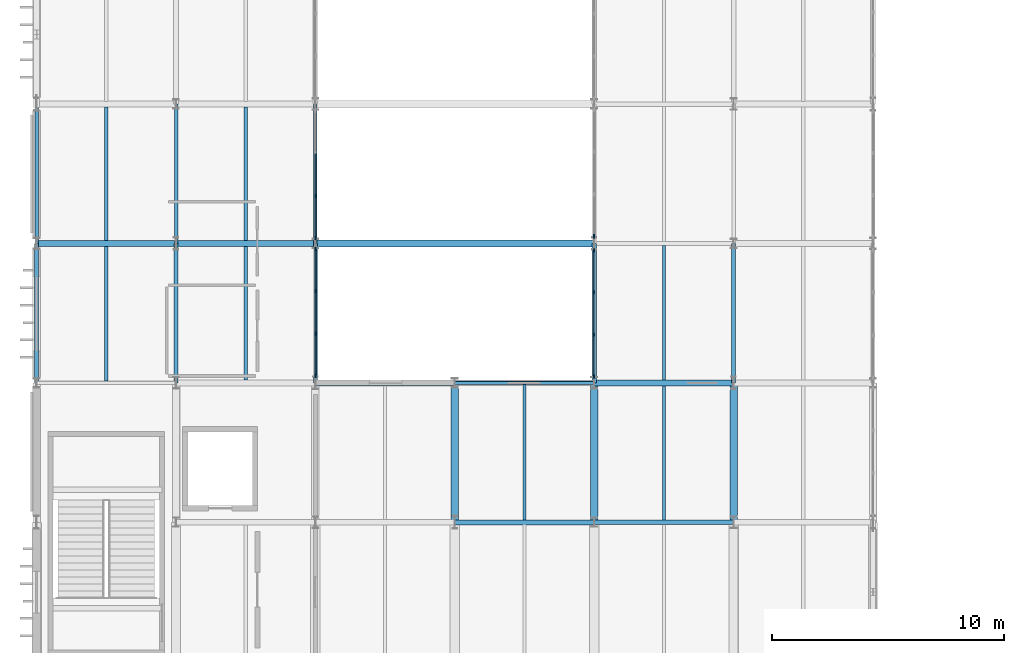
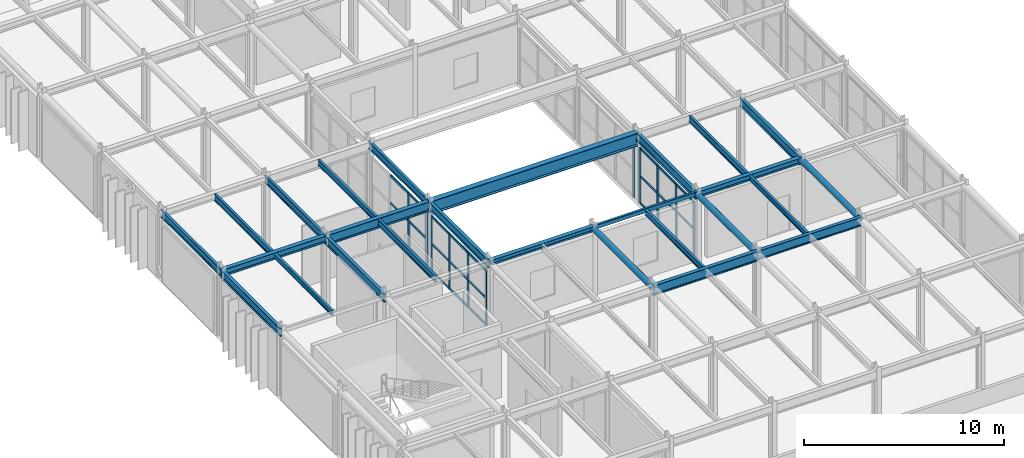
# One storey, part 25 of 84: 35 members, 26 beams, 4 elements without a shape of their own.
"""IFC4 building model written with IfcOpenShell, lengths in metres."""

from ifc_helpers import new_model, si_unit, direction, frame, origin, origin_2d, place, context, subcontext, project, spatial, rectangle, hollow_rectangle, hollow_circle, i_section, extrude, material, material_profile, profile_set, type_object, element, aggregate, save


model = new_model("IFC4")

# Units and contexts
model_context = context("Model", 3, precision=1e-05, world=origin(), true_north=direction((0.0, 1.0)))
body_context = subcontext(model_context, "Body", "Model", "MODEL_VIEW")
ifc_project = project(units=[si_unit("LENGTHUNIT", "METRE"), si_unit("AREAUNIT", "SQUARE_METRE"), si_unit("VOLUMEUNIT", "CUBIC_METRE"), si_unit("PLANEANGLEUNIT", "RADIAN"), si_unit("MASSUNIT", "GRAM", prefix="KILO")], contexts=[model_context])

# Site, building, storey
site_placement = place(None, origin())
site = spatial("IfcSite", under=ifc_project, at=site_placement, CompositionType="ELEMENT")
building_placement = place(site_placement, origin())
building = spatial("IfcBuilding", under=site, at=building_placement, Name="Varnakota Square Police Headquarters", CompositionType="ELEMENT")
storey_placement = place(building_placement, frame((0.0, 0.0, 13.5)))
storey = spatial("IfcBuildingStorey", under=building, at=storey_placement, Name="L03", CompositionType="ELEMENT", Elevation=13.5)

# Beams
ifc_material_1 = material(Name="Steel IS 2062 Grade 350", Category="steel")
ifc_material_profile_1 = material_profile(ifc_material_1, hollow_circle(Radius=0.161865234375, WallThickness=0.0126953125, at=origin_2d()), Name="CHS 323.9x12.7")
ifc_profile_set_1 = profile_set([ifc_material_profile_1], Name="Steel IS 2062 Grade 350")
beam_type_1 = type_object("IfcBeamType", Name="BM-ARC-CHS324", PredefinedType="BEAM", material=ifc_profile_set_1)
for number, where, z_axis, x_axis, name in (
    (1, (24.0, 33.0, 4.0380859375), (0.0, 1.0, 0.0), (-1.0, 0.0, 0.0), "BMG-L03-2631"),
    (2, (30.0, 33.0, 4.0380859375), (0.0, 1.0, 0.0), (-1.0, 0.0, 0.0), "BMG-L03-2636"),
    (3, (36.0, 33.0, 4.0380859375), (0.0, 1.0, 0.0), (-1.0, 0.0, 0.0), "BMG-L03-2646"),
):
    element("IfcBeam", number, at=place(storey_placement, frame(where, z_axis=z_axis, x_axis=x_axis)), inside=storey, type_object=beam_type_1, Name=name, PredefinedType="BEAM", context=body_context, shape_type="SweptSolid", body=[
        extrude(hollow_circle(Radius=0.161865234375, WallThickness=0.0126953125, at=origin_2d()), origin(), (0.0, 0.0, 1.0), 6.0),
    ])
ifc_material_profile_2 = material_profile(ifc_material_1, i_section(OverallWidth=0.320068359375, OverallDepth=0.800048828125, WebThickness=0.01611328125, FlangeThickness=0.028076171875, at=origin_2d()), Name="BPG 800x320")
ifc_profile_set_2 = profile_set([ifc_material_profile_2], Name="Steel IS 2062 Grade 350")
beam_type_2 = type_object("IfcBeamType", Name="BM-BPG800", PredefinedType="BEAM", material=ifc_profile_set_2)
beam_1_placement = place(storey_placement, frame((18.0, 45.0, 3.800048828125), z_axis=(1.0, 0.0, 0.0), x_axis=(0.0, 1.0, 0.0)))
element("IfcBeam", 4, at=beam_1_placement, inside=storey, type_object=beam_type_2, Name="BMG-L03-2485", PredefinedType="BEAM", context=body_context, shape_type="SweptSolid", body=[
    extrude(i_section(OverallWidth=0.320068359375, OverallDepth=0.800048828125, WebThickness=0.01611328125, FlangeThickness=0.028076171875, at=origin_2d()), origin(), (0.0, 0.0, 1.0), 12.0),
])
ifc_material_profile_3 = material_profile(ifc_material_1, hollow_rectangle(XDim=0.14990234375, YDim=0.25, WallThickness=0.010009765625, InnerFilletRadius=0.010009765625, OuterFilletRadius=0.02001953125, at=origin_2d()), Name="RHS 250x150x10")
ifc_profile_set_3 = profile_set([ifc_material_profile_3], Name="Steel IS 2062 Grade 350")
beam_type_3 = type_object("IfcBeamType", Name="BM-CBEAM-RHS250", PredefinedType="BEAM", material=ifc_profile_set_3)
beam_2_placement = place(storey_placement, frame((24.0, 39.0, 4.074951171875), z_axis=(1.0, 0.0, 0.0), x_axis=(0.0, 1.0, 0.0)))
element("IfcBeam", 5, at=beam_2_placement, inside=storey, type_object=beam_type_3, Name="BMG-L03-2476", PredefinedType="BEAM", context=body_context, shape_type="SweptSolid", body=[
    extrude(hollow_rectangle(XDim=0.14990234375, YDim=0.25, WallThickness=0.010009765625, InnerFilletRadius=0.010009765625, OuterFilletRadius=0.02001953125, at=origin_2d()), origin(), (0.0, 0.0, 1.0), 6.0),
])
ifc_material_profile_4 = material_profile(ifc_material_1, i_section(OverallWidth=0.25, OverallDepth=0.300048828125, WebThickness=0.009521484375, FlangeThickness=0.010498046875, FilletRadius=0.011962890625, at=origin_2d()), Name="ISHB 300")
ifc_profile_set_4 = profile_set([ifc_material_profile_4], Name="Steel IS 2062 Grade 350")
beam_type_4 = type_object("IfcBeamType", Name="BM-ISHB300", PredefinedType="BEAM", material=ifc_profile_set_4)
beam_3_placement = place(storey_placement, frame((18.0, 39.0, 4.050048828125), z_axis=(1.0, 0.0, 0.0), x_axis=(0.0, 1.0, 0.0)))
element("IfcBeam", 6, at=beam_3_placement, inside=storey, type_object=beam_type_4, Name="BMG-L03-2475", PredefinedType="BEAM", context=body_context, shape_type="SweptSolid", body=[
    extrude(i_section(OverallWidth=0.25, OverallDepth=0.300048828125, WebThickness=0.009521484375, FlangeThickness=0.010498046875, FilletRadius=0.011962890625, at=origin_2d()), origin(), (0.0, 0.0, 1.0), 6.0),
])
ifc_material_profile_5 = material_profile(ifc_material_1, i_section(OverallWidth=0.25, OverallDepth=0.35009765625, WebThickness=0.010009765625, FlangeThickness=0.01171875, FilletRadius=0.011962890625, at=origin_2d()), Name="ISHB 350")
ifc_profile_set_5 = profile_set([ifc_material_profile_5], Name="Steel IS 2062 Grade 350")
beam_type_5 = type_object("IfcBeamType", Name="BM-ISHB350", PredefinedType="BEAM", material=ifc_profile_set_5)
beam_4_placement = place(storey_placement, frame((30.0, 39.0, 4.02490234375), z_axis=(1.0, 0.0, 0.0), x_axis=(0.0, 1.0, 0.0)))
element("IfcBeam", 7, at=beam_4_placement, inside=storey, type_object=beam_type_5, Name="BMG-L03-2477", PredefinedType="BEAM", context=body_context, shape_type="SweptSolid", body=[
    extrude(i_section(OverallWidth=0.25, OverallDepth=0.35009765625, WebThickness=0.010009765625, FlangeThickness=0.01171875, FilletRadius=0.011962890625, at=origin_2d()), origin(), (0.0, 0.0, 1.0), 6.0),
])
ifc_material_profile_6 = material_profile(ifc_material_1, i_section(OverallWidth=0.25, OverallDepth=0.39990234375, WebThickness=0.010498046875, FlangeThickness=0.0126953125, FilletRadius=0.013916015625, at=origin_2d()), Name="ISHB 400")
ifc_profile_set_6 = profile_set([ifc_material_profile_6], Name="Steel IS 2062 Grade 350")
beam_type_6 = type_object("IfcBeamType", Name="BM-ISHB400", PredefinedType="BEAM", material=ifc_profile_set_6)
beam_5_placement = place(storey_placement, frame((6.0, 45.0, 4.0), z_axis=(1.0, 0.0, 0.0), x_axis=(0.0, 1.0, 0.0)))
element("IfcBeam", 8, at=beam_5_placement, inside=storey, type_object=beam_type_6, Name="BMG-L03-2483", PredefinedType="BEAM", context=body_context, shape_type="SweptSolid", body=[
    extrude(i_section(OverallWidth=0.25, OverallDepth=0.39990234375, WebThickness=0.010498046875, FlangeThickness=0.0126953125, FilletRadius=0.013916015625, at=origin_2d()), origin(), (0.0, 0.0, 1.0), 6.0),
])
ifc_material_profile_7 = material_profile(ifc_material_1, i_section(OverallWidth=0.139892578125, OverallDepth=0.300048828125, WebThickness=0.0078125, FlangeThickness=0.01318359375, FilletRadius=0.013916015625, at=origin_2d()), Name="ISMB 300")
ifc_profile_set_7 = profile_set([ifc_material_profile_7], Name="Steel IS 2062 Grade 350")
beam_type_7 = type_object("IfcBeamType", Name="BM-ISMB300", PredefinedType="JOIST", material=ifc_profile_set_7)
beam_6_placement = place(storey_placement, frame((9.0, 39.072998046875, 4.050048828125), z_axis=(0.0, 1.0, 0.0), x_axis=(-1.0, 0.0, 0.0)))
element("IfcBeam", 9, at=beam_6_placement, inside=storey, type_object=beam_type_7, Name="BMG-L03-2759", PredefinedType="JOIST", context=body_context, shape_type="SweptSolid", body=[
    extrude(i_section(OverallWidth=0.139892578125, OverallDepth=0.300048828125, WebThickness=0.0078125, FlangeThickness=0.01318359375, FilletRadius=0.013916015625, at=origin_2d()), origin(), (0.0, 0.0, 1.0), 5.803955078125),
])
beam_7_placement = place(storey_placement, frame((33.0, 33.093017578125, 4.050048828125), z_axis=(0.0, 1.0, 0.0), x_axis=(-1.0, 0.0, 0.0)))
element("IfcBeam", 10, at=beam_7_placement, inside=storey, type_object=beam_type_7, Name="BMG-L03-2784", PredefinedType="JOIST", context=body_context, shape_type="SweptSolid", body=[
    extrude(i_section(OverallWidth=0.139892578125, OverallDepth=0.300048828125, WebThickness=0.0078125, FlangeThickness=0.01318359375, FilletRadius=0.013916015625, at=origin_2d()), origin(), (0.0, 0.0, 1.0), 5.783935546875),
])
ifc_material_profile_8 = material_profile(ifc_material_1, i_section(OverallWidth=0.139892578125, OverallDepth=0.35009765625, WebThickness=0.008056640625, FlangeThickness=0.01416015625, FilletRadius=0.013916015625, at=origin_2d()), Name="ISMB 350")
ifc_profile_set_8 = profile_set([ifc_material_profile_8], Name="Steel IS 2062 Grade 350")
beam_type_8 = type_object("IfcBeamType", Name="BM-ISMB350", PredefinedType="JOIST", material=ifc_profile_set_8)
beam_8_placement = place(storey_placement, frame((15.0, 45.123046875, 4.02490234375), z_axis=(0.0, 1.0, 0.0), x_axis=(-1.0, 0.0, 0.0)))
element("IfcBeam", 11, at=beam_8_placement, inside=storey, type_object=beam_type_8, Name="BMG-L03-2768", PredefinedType="JOIST", context=body_context, shape_type="SweptSolid", body=[
    extrude(i_section(OverallWidth=0.139892578125, OverallDepth=0.35009765625, WebThickness=0.008056640625, FlangeThickness=0.01416015625, FilletRadius=0.013916015625, at=origin_2d()), origin(), (0.0, 0.0, 1.0), 5.75390625),
])
beam_9_placement = place(storey_placement, frame((27.0, 33.10302734375, 4.02490234375), z_axis=(0.0, 1.0, 0.0), x_axis=(-1.0, 0.0, 0.0)))
element("IfcBeam", 12, at=beam_9_placement, inside=storey, type_object=beam_type_8, Name="BMG-L03-2779", PredefinedType="JOIST", context=body_context, shape_type="SweptSolid", body=[
    extrude(i_section(OverallWidth=0.139892578125, OverallDepth=0.35009765625, WebThickness=0.008056640625, FlangeThickness=0.01416015625, FilletRadius=0.013916015625, at=origin_2d()), origin(), (0.0, 0.0, 1.0), 5.823974609375),
])
ifc_material_profile_9 = material_profile(ifc_material_1, i_section(OverallWidth=0.139892578125, OverallDepth=0.39990234375, WebThickness=0.0087890625, FlangeThickness=0.01611328125, FilletRadius=0.013916015625, at=origin_2d()), Name="ISMB 400")
ifc_profile_set_9 = profile_set([ifc_material_profile_9], Name="Steel IS 2062 Grade 350")
beam_type_9 = type_object("IfcBeamType", Name="BM-ISMB400", PredefinedType="JOIST", material=ifc_profile_set_9)
for number, where, z_axis, x_axis, name in (
    (13, (9.0, 45.123046875, 4.0), (0.0, 1.0, 0.0), (-1.0, 0.0, 0.0), "BMG-L03-2760"),
    (14, (15.0, 39.123046875, 4.0), (0.0, 1.0, 0.0), (-1.0, 0.0, 0.0), "BMG-L03-2767"),
):
    element("IfcBeam", number, at=place(storey_placement, frame(where, z_axis=z_axis, x_axis=x_axis)), inside=storey, type_object=beam_type_9, Name=name, PredefinedType="JOIST", context=body_context, shape_type="SweptSolid", body=[
        extrude(i_section(OverallWidth=0.139892578125, OverallDepth=0.39990234375, WebThickness=0.0087890625, FlangeThickness=0.01611328125, FilletRadius=0.013916015625, at=origin_2d()), origin(), (0.0, 0.0, 1.0), 5.75390625),
    ])
beam_10_placement = place(storey_placement, frame((33.0, 39.123046875, 4.0), z_axis=(0.0, 1.0, 0.0), x_axis=(-1.0, 0.0, 0.0)))
element("IfcBeam", 15, at=beam_10_placement, inside=storey, type_object=beam_type_9, Name="BMG-L03-2785", PredefinedType="JOIST", context=body_context, shape_type="SweptSolid", body=[
    extrude(i_section(OverallWidth=0.139892578125, OverallDepth=0.39990234375, WebThickness=0.0087890625, FlangeThickness=0.01611328125, FilletRadius=0.013916015625, at=origin_2d()), origin(), (0.0, 0.0, 1.0), 5.783935546875),
])
ifc_material_profile_10 = material_profile(ifc_material_1, i_section(OverallWidth=0.14990234375, OverallDepth=0.449951171875, WebThickness=0.009521484375, FlangeThickness=0.017333984375, FilletRadius=0.014892578125, at=origin_2d()), Name="ISMB 450")
ifc_profile_set_10 = profile_set([ifc_material_profile_10], Name="Steel IS 2062 Grade 350")
beam_type_10 = type_object("IfcBeamType", Name="BM-ISMB450", PredefinedType="BEAM", material=ifc_profile_set_10)
for number, where, z_axis, x_axis, name in (
    (16, (6.0, 45.0, 3.97509765625), (0.0, 1.0, 0.0), (-1.0, 0.0, 0.0), "BMG-L03-2599"),
    (17, (12.0, 45.0, 3.97509765625), (0.0, 1.0, 0.0), (-1.0, 0.0, 0.0), "BMG-L03-2613"),
    (18, (18.0, 45.0, 3.97509765625), (0.0, 1.0, 0.0), (-1.0, 0.0, 0.0), "BMG-L03-2623"),
):
    element("IfcBeam", number, at=place(storey_placement, frame(where, z_axis=z_axis, x_axis=x_axis)), inside=storey, type_object=beam_type_10, Name=name, PredefinedType="BEAM", context=body_context, shape_type="SweptSolid", body=[
        extrude(i_section(OverallWidth=0.14990234375, OverallDepth=0.449951171875, WebThickness=0.009521484375, FlangeThickness=0.017333984375, FilletRadius=0.014892578125, at=origin_2d()), origin(), (0.0, 0.0, 1.0), 6.0),
    ])
ifc_material_profile_11 = material_profile(ifc_material_1, i_section(OverallWidth=0.179931640625, OverallDepth=0.5, WebThickness=0.01025390625, FlangeThickness=0.01708984375, FilletRadius=0.01708984375, at=origin_2d()), Name="ISMB 500")
ifc_profile_set_11 = profile_set([ifc_material_profile_11], Name="Steel IS 2062 Grade 350")
beam_type_11 = type_object("IfcBeamType", Name="BM-ISMB500", PredefinedType="BEAM", material=ifc_profile_set_11)
for number, where, z_axis, x_axis, name in (
    (19, (6.0, 39.0, 3.949951171875), (0.0, 1.0, 0.0), (-1.0, 0.0, 0.0), "BMG-L03-2598"),
    (20, (12.0, 39.0, 3.949951171875), (0.0, 1.0, 0.0), (-1.0, 0.0, 0.0), "BMG-L03-2612"),
    (21, (18.0, 39.0, 3.949951171875), (0.0, 1.0, 0.0), (-1.0, 0.0, 0.0), "BMG-L03-2622"),
    (22, (30.0, 39.0, 3.949951171875), (0.0, 1.0, 0.0), (-1.0, 0.0, 0.0), "BMG-L03-2637"),
    (23, (36.0, 39.0, 3.949951171875), (0.0, 1.0, 0.0), (-1.0, 0.0, 0.0), "BMG-L03-2647"),
):
    element("IfcBeam", number, at=place(storey_placement, frame(where, z_axis=z_axis, x_axis=x_axis)), inside=storey, type_object=beam_type_11, Name=name, PredefinedType="BEAM", context=body_context, shape_type="SweptSolid", body=[
        extrude(i_section(OverallWidth=0.179931640625, OverallDepth=0.5, WebThickness=0.01025390625, FlangeThickness=0.01708984375, FilletRadius=0.01708984375, at=origin_2d()), origin(), (0.0, 0.0, 1.0), 6.0),
    ])
ifc_material_profile_12 = material_profile(ifc_material_1, i_section(OverallWidth=0.18994140625, OverallDepth=0.550048828125, WebThickness=0.01123046875, FlangeThickness=0.019287109375, FilletRadius=0.01806640625, at=origin_2d()), Name="ISMB 550")
ifc_profile_set_12 = profile_set([ifc_material_profile_12], Name="Steel IS 2062 Grade 350")
beam_type_12 = type_object("IfcBeamType", Name="BM-ISMB550", PredefinedType="BEAM", material=ifc_profile_set_12)
beam_11_placement = place(storey_placement, frame((30.0, 33.0, 3.925048828125), z_axis=(1.0, 0.0, 0.0), x_axis=(0.0, 1.0, 0.0)))
element("IfcBeam", 24, at=beam_11_placement, inside=storey, type_object=beam_type_12, Name="BMG-L03-2468", PredefinedType="BEAM", context=body_context, shape_type="SweptSolid", body=[
    extrude(i_section(OverallWidth=0.18994140625, OverallDepth=0.550048828125, WebThickness=0.01123046875, FlangeThickness=0.019287109375, FilletRadius=0.01806640625, at=origin_2d()), origin(), (0.0, 0.0, 1.0), 6.0),
])
ifc_material_profile_13 = material_profile(ifc_material_1, i_section(OverallWidth=0.2099609375, OverallDepth=0.60009765625, WebThickness=0.011962890625, FlangeThickness=0.020751953125, FilletRadius=0.02001953125, at=origin_2d()), Name="ISMB 600")
ifc_profile_set_13 = profile_set([ifc_material_profile_13], Name="Steel IS 2062 Grade 350")
beam_type_13 = type_object("IfcBeamType", Name="BM-ISMB600", PredefinedType="BEAM", material=ifc_profile_set_13)
beam_12_placement = place(storey_placement, frame((24.0, 33.0, 3.89990234375), z_axis=(1.0, 0.0, 0.0), x_axis=(0.0, 1.0, 0.0)))
element("IfcBeam", 25, at=beam_12_placement, inside=storey, type_object=beam_type_13, Name="BMG-L03-2467", PredefinedType="BEAM", context=body_context, shape_type="SweptSolid", body=[
    extrude(i_section(OverallWidth=0.2099609375, OverallDepth=0.60009765625, WebThickness=0.011962890625, FlangeThickness=0.020751953125, FilletRadius=0.02001953125, at=origin_2d()), origin(), (0.0, 0.0, 1.0), 6.0),
])
ifc_material_profile_14 = material_profile(ifc_material_1, i_section(OverallWidth=0.25, OverallDepth=0.60009765625, WebThickness=0.01171875, FlangeThickness=0.023681640625, FilletRadius=0.01708984375, at=origin_2d()), Name="ISWB 600")
ifc_profile_set_14 = profile_set([ifc_material_profile_14], Name="Steel IS 2062 Grade 350")
beam_type_14 = type_object("IfcBeamType", Name="BM-ISWB600", PredefinedType="BEAM", material=ifc_profile_set_14)
beam_13_placement = place(storey_placement, frame((12.0, 45.0, 3.89990234375), z_axis=(1.0, 0.0, 0.0), x_axis=(0.0, 1.0, 0.0)))
element("IfcBeam", 26, at=beam_13_placement, inside=storey, type_object=beam_type_14, Name="BMG-L03-2484", PredefinedType="BEAM", context=body_context, shape_type="SweptSolid", body=[
    extrude(i_section(OverallWidth=0.25, OverallDepth=0.60009765625, WebThickness=0.01171875, FlangeThickness=0.023681640625, FilletRadius=0.01708984375, at=origin_2d()), origin(), (0.0, 0.0, 1.0), 6.0),
])

# Curtain wall, members
ifc_material_2 = material(Name="Anodised Aluminium Framing", Category="aluminium")
curtain_wall_type = type_object("IfcCurtainWallType", Name="CW-SYS-F", PredefinedType="NOTDEFINED", material=ifc_material_2)
curtain_wall_1_placement = place(storey_placement, origin())
curtain_wall_1 = element("IfcCurtainWall", 27, at=curtain_wall_1_placement, inside=storey, type_object=curtain_wall_type, Name="Unitised curtain wall CWG-L03-174", PredefinedType="NOTDEFINED")
ifc_material_3 = material(Name="Anodised Aluminium 6063-T6", Category="aluminium")
ifc_material_profile_15 = material_profile(ifc_material_3, rectangle(XDim=0.06494140625, YDim=0.159912109375, at=origin_2d()), Name="ALU MULLION 65x160")
ifc_profile_set_15 = profile_set([ifc_material_profile_15], Name="Anodised Aluminium 6063-T6")
member_type_1 = type_object("IfcMemberType", Name="CWM-150", PredefinedType="MULLION", material=ifc_profile_set_15)
member_1_placement = place(storey_placement, frame((18.0, 39.3125, 0.0), z_axis=(0.0, 0.0, 1.0), x_axis=(-1.0, 0.0, 0.0)))
member_1 = element("IfcMember", 28, at=member_1_placement, type_object=member_type_1, Name="CWG-L03-174 mullion 1", PredefinedType="MULLION", context=body_context, shape_type="SweptSolid", body=[
    extrude(rectangle(XDim=0.06494140625, YDim=0.159912109375, at=origin_2d()), origin(), (0.0, 0.0, 1.0), 3.389892578125),
])
member_2_placement = place(storey_placement, frame((18.0, 41.118408203125, 0.0), z_axis=(0.0, 0.0, 1.0), x_axis=(-1.0, 0.0, 0.0)))
member_2 = element("IfcMember", 29, at=member_2_placement, type_object=member_type_1, Name="CWG-L03-174 mullion 2", PredefinedType="MULLION", context=body_context, shape_type="SweptSolid", body=[
    extrude(rectangle(XDim=0.06494140625, YDim=0.159912109375, at=origin_2d()), origin(), (0.0, 0.0, 1.0), 3.389892578125),
])
member_3_placement = place(storey_placement, frame((18.0, 42.956787109375, 0.0), z_axis=(0.0, 0.0, 1.0), x_axis=(-1.0, 0.0, 0.0)))
member_3 = element("IfcMember", 30, at=member_3_placement, type_object=member_type_1, Name="CWG-L03-174 mullion 3", PredefinedType="MULLION", context=body_context, shape_type="SweptSolid", body=[
    extrude(rectangle(XDim=0.06494140625, YDim=0.159912109375, at=origin_2d()), origin(), (0.0, 0.0, 1.0), 3.389892578125),
])
member_4_placement = place(storey_placement, frame((18.0, 44.762451171875, 0.0), z_axis=(0.0, 0.0, 1.0), x_axis=(-1.0, 0.0, 0.0)))
member_4 = element("IfcMember", 31, at=member_4_placement, type_object=member_type_1, Name="CWG-L03-174 mullion 4", PredefinedType="MULLION", context=body_context, shape_type="SweptSolid", body=[
    extrude(rectangle(XDim=0.06494140625, YDim=0.159912109375, at=origin_2d()), origin(), (0.0, 0.0, 1.0), 3.389892578125),
])

curtain_wall_2_placement = place(storey_placement, origin())
curtain_wall_2 = element("IfcCurtainWall", 32, at=curtain_wall_2_placement, inside=storey, type_object=curtain_wall_type, Name="Unitised curtain wall CWG-L03-175", PredefinedType="NOTDEFINED")
member_5_placement = place(storey_placement, frame((30.0, 39.28759765625, 0.0), z_axis=(0.0, 0.0, 1.0), x_axis=(-1.0, 0.0, 0.0)))
member_5 = element("IfcMember", 33, at=member_5_placement, type_object=member_type_1, Name="CWG-L03-175 mullion 1", PredefinedType="MULLION", context=body_context, shape_type="SweptSolid", body=[
    extrude(rectangle(XDim=0.06494140625, YDim=0.159912109375, at=origin_2d()), origin(), (0.0, 0.0, 1.0), 3.389892578125),
])
member_6_placement = place(storey_placement, frame((30.0, 41.07666015625, 0.0), z_axis=(0.0, 0.0, 1.0), x_axis=(-1.0, 0.0, 0.0)))
member_6 = element("IfcMember", 34, at=member_6_placement, type_object=member_type_1, Name="CWG-L03-175 mullion 2", PredefinedType="MULLION", context=body_context, shape_type="SweptSolid", body=[
    extrude(rectangle(XDim=0.06494140625, YDim=0.159912109375, at=origin_2d()), origin(), (0.0, 0.0, 1.0), 3.389892578125),
])
member_7_placement = place(storey_placement, frame((30.0, 42.8984375, 0.0), z_axis=(0.0, 0.0, 1.0), x_axis=(-1.0, 0.0, 0.0)))
member_7 = element("IfcMember", 35, at=member_7_placement, type_object=member_type_1, Name="CWG-L03-175 mullion 3", PredefinedType="MULLION", context=body_context, shape_type="SweptSolid", body=[
    extrude(rectangle(XDim=0.06494140625, YDim=0.159912109375, at=origin_2d()), origin(), (0.0, 0.0, 1.0), 3.389892578125),
])
member_8_placement = place(storey_placement, frame((30.0, 44.6875, 0.0), z_axis=(0.0, 0.0, 1.0), x_axis=(-1.0, 0.0, 0.0)))
member_8 = element("IfcMember", 36, at=member_8_placement, type_object=member_type_1, Name="CWG-L03-175 mullion 4", PredefinedType="MULLION", context=body_context, shape_type="SweptSolid", body=[
    extrude(rectangle(XDim=0.06494140625, YDim=0.159912109375, at=origin_2d()), origin(), (0.0, 0.0, 1.0), 3.389892578125),
])

curtain_wall_3_placement = place(storey_placement, origin())
curtain_wall_3 = element("IfcCurtainWall", 37, at=curtain_wall_3_placement, inside=storey, type_object=curtain_wall_type, Name="Unitised curtain wall CWG-L03-176", PredefinedType="NOTDEFINED")
member_9_placement = place(storey_placement, frame((18.0, 45.237548828125, 0.0), z_axis=(0.0, 0.0, 1.0), x_axis=(-1.0, 0.0, 0.0)))
member_9 = element("IfcMember", 38, at=member_9_placement, type_object=member_type_1, Name="CWG-L03-176 mullion 1", PredefinedType="MULLION", context=body_context, shape_type="SweptSolid", body=[
    extrude(rectangle(XDim=0.06494140625, YDim=0.159912109375, at=origin_2d()), origin(), (0.0, 0.0, 1.0), 3.389892578125),
])
member_10_placement = place(storey_placement, frame((18.0, 47.0517578125, 0.0), z_axis=(0.0, 0.0, 1.0), x_axis=(-1.0, 0.0, 0.0)))
member_10 = element("IfcMember", 39, at=member_10_placement, type_object=member_type_1, Name="CWG-L03-176 mullion 2", PredefinedType="MULLION", context=body_context, shape_type="SweptSolid", body=[
    extrude(rectangle(XDim=0.06494140625, YDim=0.159912109375, at=origin_2d()), origin(), (0.0, 0.0, 1.0), 3.389892578125),
])

# Curtain wall, member
curtain_wall_4_placement = place(storey_placement, origin())
curtain_wall_4 = element("IfcCurtainWall", 40, at=curtain_wall_4_placement, inside=storey, type_object=curtain_wall_type, Name="Unitised curtain wall CWG-L03-177", PredefinedType="NOTDEFINED")
member_11_placement = place(storey_placement, frame((30.0, 45.3125, 0.0), z_axis=(0.0, 0.0, 1.0), x_axis=(-1.0, 0.0, 0.0)))
member_11 = element("IfcMember", 41, at=member_11_placement, type_object=member_type_1, Name="CWG-L03-177 mullion 1", PredefinedType="MULLION", context=body_context, shape_type="SweptSolid", body=[
    extrude(rectangle(XDim=0.06494140625, YDim=0.159912109375, at=origin_2d()), origin(), (0.0, 0.0, 1.0), 3.389892578125),
])
aggregate(curtain_wall_4, [member_11])

# Member
ifc_material_profile_16 = material_profile(ifc_material_3, rectangle(XDim=0.06494140625, YDim=0.1298828125, at=origin_2d()), Name="ALU TRANSOM 65x130")
ifc_profile_set_16 = profile_set([ifc_material_profile_16], Name="Anodised Aluminium 6063-T6")
member_type_2 = type_object("IfcMemberType", Name="CWT-120", PredefinedType="USERDEFINED", material=ifc_profile_set_16)
member_12_placement = place(storey_placement, frame((18.0, 39.344970703125, 0.032470703125), z_axis=(0.0, 1.0, 0.0), x_axis=(-1.0, 0.0, 0.0)))
member_12 = element("IfcMember", 42, at=member_12_placement, type_object=member_type_2, Name="CWG-L03-174 transom 1.1", ObjectType="TRANSOM", PredefinedType="USERDEFINED", context=body_context, shape_type="SweptSolid", body=[
    extrude(rectangle(XDim=0.06494140625, YDim=0.1298828125, at=origin_2d()), origin(), (0.0, 0.0, 1.0), 1.740966796875),
])

member_13_placement = place(storey_placement, frame((18.0, 39.344970703125, 1.695068359375), z_axis=(0.0, 1.0, 0.0), x_axis=(-1.0, 0.0, 0.0)))
member_13 = element("IfcMember", 43, at=member_13_placement, type_object=member_type_2, Name="CWG-L03-174 transom 1.2", ObjectType="TRANSOM", PredefinedType="USERDEFINED", context=body_context, shape_type="SweptSolid", body=[
    extrude(rectangle(XDim=0.06494140625, YDim=0.1298828125, at=origin_2d()), origin(), (0.0, 0.0, 1.0), 1.740966796875),
])

member_14_placement = place(storey_placement, frame((18.0, 39.344970703125, 3.357421875), z_axis=(0.0, 1.0, 0.0), x_axis=(-1.0, 0.0, 0.0)))
member_14 = element("IfcMember", 44, at=member_14_placement, type_object=member_type_2, Name="CWG-L03-174 transom 1.3", ObjectType="TRANSOM", PredefinedType="USERDEFINED", context=body_context, shape_type="SweptSolid", body=[
    extrude(rectangle(XDim=0.06494140625, YDim=0.1298828125, at=origin_2d()), origin(), (0.0, 0.0, 1.0), 1.740966796875),
])

member_15_placement = place(storey_placement, frame((18.0, 41.15087890625, 0.032470703125), z_axis=(0.0, 1.0, 0.0), x_axis=(-1.0, 0.0, 0.0)))
member_15 = element("IfcMember", 45, at=member_15_placement, type_object=member_type_2, Name="CWG-L03-174 transom 2.1", ObjectType="TRANSOM", PredefinedType="USERDEFINED", context=body_context, shape_type="SweptSolid", body=[
    extrude(rectangle(XDim=0.06494140625, YDim=0.1298828125, at=origin_2d()), origin(), (0.0, 0.0, 1.0), 1.773193359375),
])

member_16_placement = place(storey_placement, frame((18.0, 41.15087890625, 1.695068359375), z_axis=(0.0, 1.0, 0.0), x_axis=(-1.0, 0.0, 0.0)))
member_16 = element("IfcMember", 46, at=member_16_placement, type_object=member_type_2, Name="CWG-L03-174 transom 2.2", ObjectType="TRANSOM", PredefinedType="USERDEFINED", context=body_context, shape_type="SweptSolid", body=[
    extrude(rectangle(XDim=0.06494140625, YDim=0.1298828125, at=origin_2d()), origin(), (0.0, 0.0, 1.0), 1.773193359375),
])

member_17_placement = place(storey_placement, frame((18.0, 41.15087890625, 3.357421875), z_axis=(0.0, 1.0, 0.0), x_axis=(-1.0, 0.0, 0.0)))
member_17 = element("IfcMember", 47, at=member_17_placement, type_object=member_type_2, Name="CWG-L03-174 transom 2.3", ObjectType="TRANSOM", PredefinedType="USERDEFINED", context=body_context, shape_type="SweptSolid", body=[
    extrude(rectangle(XDim=0.06494140625, YDim=0.1298828125, at=origin_2d()), origin(), (0.0, 0.0, 1.0), 1.773193359375),
])

member_18_placement = place(storey_placement, frame((18.0, 42.9892578125, 0.032470703125), z_axis=(0.0, 1.0, 0.0), x_axis=(-1.0, 0.0, 0.0)))
member_18 = element("IfcMember", 48, at=member_18_placement, type_object=member_type_2, Name="CWG-L03-174 transom 3.1", ObjectType="TRANSOM", PredefinedType="USERDEFINED", context=body_context, shape_type="SweptSolid", body=[
    extrude(rectangle(XDim=0.06494140625, YDim=0.1298828125, at=origin_2d()), origin(), (0.0, 0.0, 1.0), 1.74072265625),
])

member_19_placement = place(storey_placement, frame((18.0, 42.9892578125, 1.695068359375), z_axis=(0.0, 1.0, 0.0), x_axis=(-1.0, 0.0, 0.0)))
member_19 = element("IfcMember", 49, at=member_19_placement, type_object=member_type_2, Name="CWG-L03-174 transom 3.2", ObjectType="TRANSOM", PredefinedType="USERDEFINED", context=body_context, shape_type="SweptSolid", body=[
    extrude(rectangle(XDim=0.06494140625, YDim=0.1298828125, at=origin_2d()), origin(), (0.0, 0.0, 1.0), 1.74072265625),
])

member_20_placement = place(storey_placement, frame((18.0, 42.9892578125, 3.357421875), z_axis=(0.0, 1.0, 0.0), x_axis=(-1.0, 0.0, 0.0)))
member_20 = element("IfcMember", 50, at=member_20_placement, type_object=member_type_2, Name="CWG-L03-174 transom 3.3", ObjectType="TRANSOM", PredefinedType="USERDEFINED", context=body_context, shape_type="SweptSolid", body=[
    extrude(rectangle(XDim=0.06494140625, YDim=0.1298828125, at=origin_2d()), origin(), (0.0, 0.0, 1.0), 1.74072265625),
])

aggregate(curtain_wall_1, [member_1, member_2, member_3, member_4, member_12, member_13, member_14, member_15, member_16, member_17, member_18, member_19, member_20])

member_21_placement = place(storey_placement, frame((30.0, 39.320068359375, 0.032470703125), z_axis=(0.0, 1.0, 0.0), x_axis=(-1.0, 0.0, 0.0)))
member_21 = element("IfcMember", 51, at=member_21_placement, type_object=member_type_2, Name="CWG-L03-175 transom 1.1", ObjectType="TRANSOM", PredefinedType="USERDEFINED", context=body_context, shape_type="SweptSolid", body=[
    extrude(rectangle(XDim=0.06494140625, YDim=0.1298828125, at=origin_2d()), origin(), (0.0, 0.0, 1.0), 1.72412109375),
])

member_22_placement = place(storey_placement, frame((30.0, 39.320068359375, 1.695068359375), z_axis=(0.0, 1.0, 0.0), x_axis=(-1.0, 0.0, 0.0)))
member_22 = element("IfcMember", 52, at=member_22_placement, type_object=member_type_2, Name="CWG-L03-175 transom 1.2", ObjectType="TRANSOM", PredefinedType="USERDEFINED", context=body_context, shape_type="SweptSolid", body=[
    extrude(rectangle(XDim=0.06494140625, YDim=0.1298828125, at=origin_2d()), origin(), (0.0, 0.0, 1.0), 1.72412109375),
])

member_23_placement = place(storey_placement, frame((30.0, 39.320068359375, 3.357421875), z_axis=(0.0, 1.0, 0.0), x_axis=(-1.0, 0.0, 0.0)))
member_23 = element("IfcMember", 53, at=member_23_placement, type_object=member_type_2, Name="CWG-L03-175 transom 1.3", ObjectType="TRANSOM", PredefinedType="USERDEFINED", context=body_context, shape_type="SweptSolid", body=[
    extrude(rectangle(XDim=0.06494140625, YDim=0.1298828125, at=origin_2d()), origin(), (0.0, 0.0, 1.0), 1.72412109375),
])

member_24_placement = place(storey_placement, frame((30.0, 41.109130859375, 0.032470703125), z_axis=(0.0, 1.0, 0.0), x_axis=(-1.0, 0.0, 0.0)))
member_24 = element("IfcMember", 54, at=member_24_placement, type_object=member_type_2, Name="CWG-L03-175 transom 2.1", ObjectType="TRANSOM", PredefinedType="USERDEFINED", context=body_context, shape_type="SweptSolid", body=[
    extrude(rectangle(XDim=0.06494140625, YDim=0.1298828125, at=origin_2d()), origin(), (0.0, 0.0, 1.0), 1.756591796875),
])

member_25_placement = place(storey_placement, frame((30.0, 41.109130859375, 1.695068359375), z_axis=(0.0, 1.0, 0.0), x_axis=(-1.0, 0.0, 0.0)))
member_25 = element("IfcMember", 55, at=member_25_placement, type_object=member_type_2, Name="CWG-L03-175 transom 2.2", ObjectType="TRANSOM", PredefinedType="USERDEFINED", context=body_context, shape_type="SweptSolid", body=[
    extrude(rectangle(XDim=0.06494140625, YDim=0.1298828125, at=origin_2d()), origin(), (0.0, 0.0, 1.0), 1.756591796875),
])

member_26_placement = place(storey_placement, frame((30.0, 41.109130859375, 3.357421875), z_axis=(0.0, 1.0, 0.0), x_axis=(-1.0, 0.0, 0.0)))
member_26 = element("IfcMember", 56, at=member_26_placement, type_object=member_type_2, Name="CWG-L03-175 transom 2.3", ObjectType="TRANSOM", PredefinedType="USERDEFINED", context=body_context, shape_type="SweptSolid", body=[
    extrude(rectangle(XDim=0.06494140625, YDim=0.1298828125, at=origin_2d()), origin(), (0.0, 0.0, 1.0), 1.756591796875),
])

member_27_placement = place(storey_placement, frame((30.0, 42.930908203125, 0.032470703125), z_axis=(0.0, 1.0, 0.0), x_axis=(-1.0, 0.0, 0.0)))
member_27 = element("IfcMember", 57, at=member_27_placement, type_object=member_type_2, Name="CWG-L03-175 transom 3.1", ObjectType="TRANSOM", PredefinedType="USERDEFINED", context=body_context, shape_type="SweptSolid", body=[
    extrude(rectangle(XDim=0.06494140625, YDim=0.1298828125, at=origin_2d()), origin(), (0.0, 0.0, 1.0), 1.72412109375),
])

member_28_placement = place(storey_placement, frame((30.0, 42.930908203125, 1.695068359375), z_axis=(0.0, 1.0, 0.0), x_axis=(-1.0, 0.0, 0.0)))
member_28 = element("IfcMember", 58, at=member_28_placement, type_object=member_type_2, Name="CWG-L03-175 transom 3.2", ObjectType="TRANSOM", PredefinedType="USERDEFINED", context=body_context, shape_type="SweptSolid", body=[
    extrude(rectangle(XDim=0.06494140625, YDim=0.1298828125, at=origin_2d()), origin(), (0.0, 0.0, 1.0), 1.72412109375),
])

member_29_placement = place(storey_placement, frame((30.0, 42.930908203125, 3.357421875), z_axis=(0.0, 1.0, 0.0), x_axis=(-1.0, 0.0, 0.0)))
member_29 = element("IfcMember", 59, at=member_29_placement, type_object=member_type_2, Name="CWG-L03-175 transom 3.3", ObjectType="TRANSOM", PredefinedType="USERDEFINED", context=body_context, shape_type="SweptSolid", body=[
    extrude(rectangle(XDim=0.06494140625, YDim=0.1298828125, at=origin_2d()), origin(), (0.0, 0.0, 1.0), 1.72412109375),
])

aggregate(curtain_wall_2, [member_5, member_6, member_7, member_8, member_21, member_22, member_23, member_24, member_25, member_26, member_27, member_28, member_29])

member_30_placement = place(storey_placement, frame((18.0, 45.27001953125, 0.032470703125), z_axis=(0.0, 1.0, 0.0), x_axis=(-1.0, 0.0, 0.0)))
member_30 = element("IfcMember", 60, at=member_30_placement, type_object=member_type_2, Name="CWG-L03-176 transom 1.1", ObjectType="TRANSOM", PredefinedType="USERDEFINED", context=body_context, shape_type="SweptSolid", body=[
    extrude(rectangle(XDim=0.06494140625, YDim=0.1298828125, at=origin_2d()), origin(), (0.0, 0.0, 1.0), 1.749267578125),
])

member_31_placement = place(storey_placement, frame((18.0, 45.27001953125, 1.695068359375), z_axis=(0.0, 1.0, 0.0), x_axis=(-1.0, 0.0, 0.0)))
member_31 = element("IfcMember", 61, at=member_31_placement, type_object=member_type_2, Name="CWG-L03-176 transom 1.2", ObjectType="TRANSOM", PredefinedType="USERDEFINED", context=body_context, shape_type="SweptSolid", body=[
    extrude(rectangle(XDim=0.06494140625, YDim=0.1298828125, at=origin_2d()), origin(), (0.0, 0.0, 1.0), 1.749267578125),
])

member_32_placement = place(storey_placement, frame((18.0, 45.27001953125, 3.357421875), z_axis=(0.0, 1.0, 0.0), x_axis=(-1.0, 0.0, 0.0)))
member_32 = element("IfcMember", 62, at=member_32_placement, type_object=member_type_2, Name="CWG-L03-176 transom 1.3", ObjectType="TRANSOM", PredefinedType="USERDEFINED", context=body_context, shape_type="SweptSolid", body=[
    extrude(rectangle(XDim=0.06494140625, YDim=0.1298828125, at=origin_2d()), origin(), (0.0, 0.0, 1.0), 1.749267578125),
])

member_33_placement = place(storey_placement, frame((18.0, 47.084228515625, 0.032470703125), z_axis=(0.0, 1.0, 0.0), x_axis=(-1.0, 0.0, 0.0)))
member_33 = element("IfcMember", 63, at=member_33_placement, type_object=member_type_2, Name="CWG-L03-176 transom 2.1", ObjectType="TRANSOM", PredefinedType="USERDEFINED", context=body_context, shape_type="SweptSolid", body=[
    extrude(rectangle(XDim=0.06494140625, YDim=0.1298828125, at=origin_2d()), origin(), (0.0, 0.0, 1.0), 1.781494140625),
])

member_34_placement = place(storey_placement, frame((18.0, 47.084228515625, 1.695068359375), z_axis=(0.0, 1.0, 0.0), x_axis=(-1.0, 0.0, 0.0)))
member_34 = element("IfcMember", 64, at=member_34_placement, type_object=member_type_2, Name="CWG-L03-176 transom 2.2", ObjectType="TRANSOM", PredefinedType="USERDEFINED", context=body_context, shape_type="SweptSolid", body=[
    extrude(rectangle(XDim=0.06494140625, YDim=0.1298828125, at=origin_2d()), origin(), (0.0, 0.0, 1.0), 1.781494140625),
])

member_35_placement = place(storey_placement, frame((18.0, 47.084228515625, 3.357421875), z_axis=(0.0, 1.0, 0.0), x_axis=(-1.0, 0.0, 0.0)))
member_35 = element("IfcMember", 65, at=member_35_placement, type_object=member_type_2, Name="CWG-L03-176 transom 2.3", ObjectType="TRANSOM", PredefinedType="USERDEFINED", context=body_context, shape_type="SweptSolid", body=[
    extrude(rectangle(XDim=0.06494140625, YDim=0.1298828125, at=origin_2d()), origin(), (0.0, 0.0, 1.0), 1.781494140625),
])

aggregate(curtain_wall_3, [member_9, member_10, member_30, member_31, member_32, member_33, member_34, member_35])

save(model, "model.ifc")
